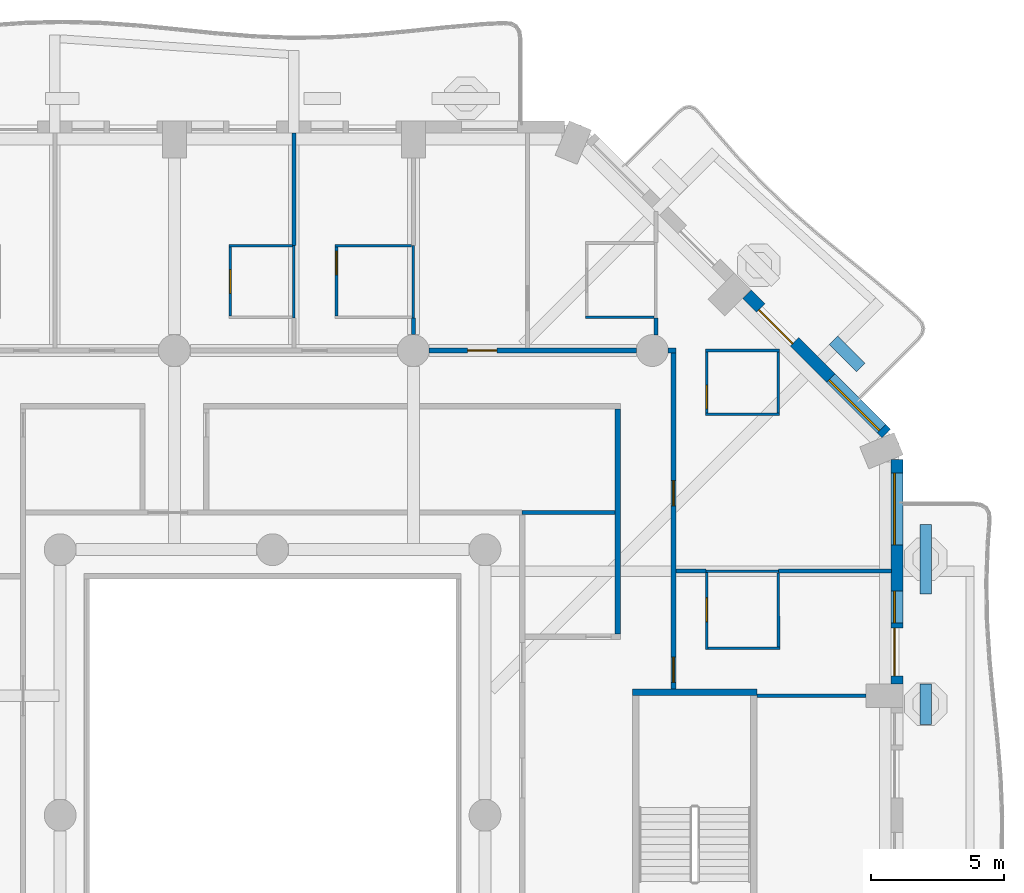
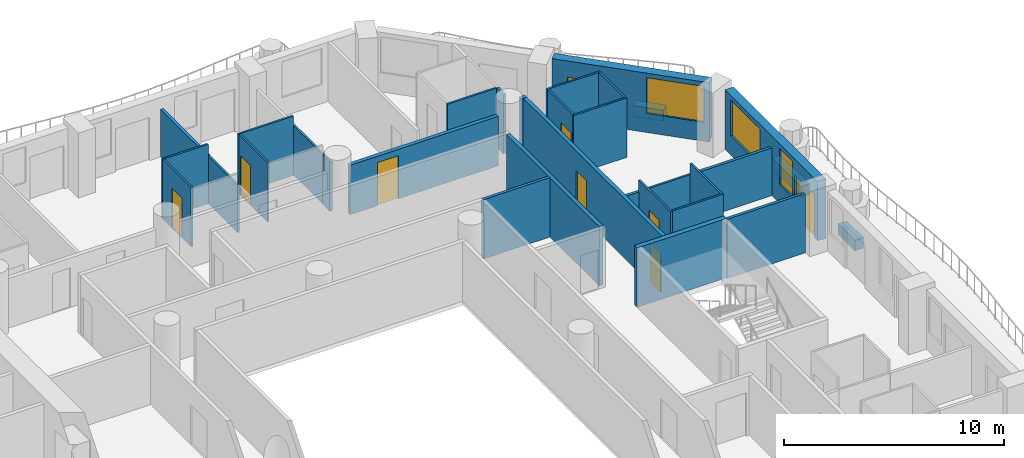
# One storey, part 9 of 20: 32 walls, 9 doors, 3 windows, 12 openings.
"""IFC4 building model written with IfcOpenShell, lengths in metres."""

from ifc_helpers import new_model, si_unit, direction, frame, frame_2d, origin, place, context, subcontext, project, spatial, rectangle, extrude, material, layer, layer_set, type_object, element, fill, save


model = new_model("IFC4")

# Units and contexts
model_context = context("Model", 3, precision=1e-05, world=origin(), true_north=direction((0.0, 1.0)))
body_context = subcontext(model_context, "Body", "Model", "MODEL_VIEW")
ifc_project = project(units=[si_unit("LENGTHUNIT", "METRE"), si_unit("AREAUNIT", "SQUARE_METRE"), si_unit("VOLUMEUNIT", "CUBIC_METRE"), si_unit("PLANEANGLEUNIT", "RADIAN"), si_unit("MASSUNIT", "GRAM", prefix="KILO")], contexts=[model_context])

# Site, building, storey
site_placement = place(None, origin())
site = spatial("IfcSite", under=ifc_project, at=site_placement, CompositionType="ELEMENT")
building_placement = place(site_placement, origin())
building = spatial("IfcBuilding", under=site, at=building_placement, Name="Cypress Arch Tower", CompositionType="ELEMENT")
storey_placement = place(building_placement, frame((0.0, 0.0, 55.5)))
storey = spatial("IfcBuildingStorey", under=building, at=storey_placement, Name="L07", CompositionType="ELEMENT", Elevation=55.5)

# Walls
ifc_material_1 = material(Name="Concrete C40/50, waterproofed", Category="concrete")
ifc_layer_1 = layer(ifc_material_1, 0.449951171875)
ifc_layer_set_1 = layer_set([ifc_layer_1], Name="Balcony planter wall PW450")
wall_type_1 = type_object("IfcWallType", Name="Balcony planter wall PW450", PredefinedType="SOLIDWALL", material=ifc_layer_set_1)
wall_1_placement = place(storey_placement, frame((25.60009765625, 3.42138671875, 0.0), z_axis=(0.0, 0.0, 1.0), x_axis=(0.0, 1.0, 0.0)))
element("IfcWall", 1, at=wall_1_placement, inside=storey, type_object=wall_type_1, Name="Balcony planter wall L07-A06.2", PredefinedType="SOLIDWALL", context=body_context, shape_type="SweptSolid", body=[
    extrude(rectangle(XDim=1.5224609375, YDim=0.449951171875, at=frame_2d((0.76123046875, 0.0))), origin(), (0.0, 0.0, 1.0), 0.60009765625),
])
wall_2_placement = place(storey_placement, frame((25.60009765625, 8.335693359375, 0.0), z_axis=(0.0, 0.0, 1.0), x_axis=(0.0, 1.0, 0.0)))
element("IfcWall", 2, at=wall_2_placement, inside=storey, type_object=wall_type_1, Name="Balcony planter wall L07-A06.3", PredefinedType="SOLIDWALL", context=body_context, shape_type="SweptSolid", body=[
    extrude(rectangle(XDim=2.6142578125, YDim=0.449951171875, at=frame_2d((1.30712890625, 0.0))), origin(), (0.0, 0.0, 1.0), 0.60009765625),
])
wall_3_placement = place(storey_placement, frame((23.150390625, 16.86376953125, 0.0), z_axis=(0.0, 0.0, 1.0), x_axis=(-0.707106781187, 0.707106781187, 0.0)))
element("IfcWall", 3, at=wall_3_placement, inside=storey, type_object=wall_type_1, Name="Balcony planter wall L07-A07.1", PredefinedType="SOLIDWALL", context=body_context, shape_type="SweptSolid", body=[
    extrude(rectangle(XDim=1.44482421875, YDim=0.449951171875, at=frame_2d((0.722412109375, 0.0))), origin(), (0.0, 0.0, 1.0), 0.60009765625),
])

# Wall, openings, door, windows
ifc_material_2 = material(Name="Brick (red buff blend)", Category="masonry")
ifc_layer_2 = layer(ifc_material_2, 0.449951171875)
ifc_layer_set_2 = layer_set([ifc_layer_2], Name="Brick pier and spandrel wall BW450")
wall_type_2 = type_object("IfcWallType", Name="Brick pier and spandrel wall BW450", PredefinedType="SOLIDWALL", material=ifc_layer_set_2)
wall_4_placement = place(storey_placement, frame((24.52490234375, 4.949951171875, 0.0), z_axis=(0.0, 0.0, 1.0), x_axis=(0.0, 1.0, 0.0)))
wall_4 = element("IfcWall", 4, at=wall_4_placement, inside=storey, type_object=wall_type_2, Name="Brick wall L07 A06.3", PredefinedType="SOLIDWALL", context=body_context, shape_type="SweptSolid", body=[
    extrude(rectangle(XDim=8.438720703125, YDim=0.449951171875, at=frame_2d((4.21923828125, 0.0))), origin(), (0.0, 0.0, 1.0), 3.300048828125),
])
opening_1_placement = place(wall_4_placement, frame((0.2939453125, 0.0, 0.0)))
opening_1 = element("IfcOpeningElement", 5, at=opening_1_placement, cuts=wall_4, Name="Opening D-L07-A06.3.1", PredefinedType="OPENING", context=body_context, shape_type="SweptSolid", body=[
    extrude(rectangle(XDim=1.800048828125, YDim=2.39990234375, at=frame_2d((0.89990234375, 1.199951171875))), frame((0.0, 0.23486328125, 0.0), z_axis=(0.0, -1.0, 0.0), x_axis=(1.0, 0.0, 0.0)), (0.0, 0.0, 1.0), 0.469970703125),
])
opening_2_placement = place(wall_4_placement, frame((2.2939453125, 0.0, 1.050048828125)))
opening_2 = element("IfcOpeningElement", 6, at=opening_2_placement, cuts=wall_4, Name="Opening W120HD", PredefinedType="OPENING", context=body_context, shape_type="SweptSolid", body=[
    extrude(rectangle(XDim=1.199951171875, YDim=2.0, at=frame_2d((0.60009765625, 1.0))), frame((0.0, 0.23486328125, 0.0), z_axis=(0.0, -1.0, 0.0), x_axis=(1.0, 0.0, 0.0)), (0.0, 0.0, 1.0), 0.469970703125),
])
opening_3_placement = place(wall_4_placement, frame((5.231689453125, 0.0, 1.050048828125)))
opening_3 = element("IfcOpeningElement", 7, at=opening_3_placement, cuts=wall_4, Name="Opening W270HD", PredefinedType="OPENING", context=body_context, shape_type="SweptSolid", body=[
    extrude(rectangle(XDim=2.699951171875, YDim=2.0, at=frame_2d((1.35009765625, 1.0))), frame((0.0, 0.23486328125, 0.0), z_axis=(0.0, -1.0, 0.0), x_axis=(1.0, 0.0, 0.0)), (0.0, 0.0, 1.0), 0.469970703125),
])
ifc_material_3 = material(Name="Anodised aluminium, bronze finish, laminated low-emissivity double glazing, large-missile impact rated", Category="aluminium")
door_type_1 = type_object("IfcDoorType", Name="Balcony sliding door 1800x2400", OperationType="SLIDING_TO_LEFT", PredefinedType="DOOR", material=ifc_material_3)
door_1_placement = place(opening_1_placement, origin())
door_1 = element("IfcDoor", 8, at=door_1_placement, inside=storey, type_object=door_type_1, Name="Balcony door L07 A06.3.1", OperationType="SLIDING_TO_LEFT", OverallHeight=2.39990234375, OverallWidth=1.800048828125, PredefinedType="DOOR", context=body_context, shape_type="SweptSolid", body=[
    extrude(rectangle(XDim=1.800048828125, YDim=2.39990234375, at=frame_2d((0.89990234375, 1.199951171875))), frame((0.0, 0.1298828125, 0.0), z_axis=(0.0, -1.0, 0.0), x_axis=(1.0, 0.0, 0.0)), (0.0, 0.0, 1.0), 0.050048828125),
])
fill(opening_1, door_1)
ifc_material_4 = material(Name="Anodised aluminium, bronze finish, laminated low-emissivity double glazing, large-missile impact rated", Category="aluminium")
window_type_1 = type_object("IfcWindowType", Name="Window Hotel 1200x2000 debris-rated", PartitioningType="SINGLE_PANEL", PredefinedType="WINDOW", material=ifc_material_4)
window_1_placement = place(opening_2_placement, origin())
window_1 = element("IfcWindow", 9, at=window_1_placement, inside=storey, type_object=window_type_1, Name="Window L07 A06.3.1", OverallHeight=2.0, OverallWidth=1.199951171875, PartitioningType="SINGLE_PANEL", PredefinedType="WINDOW", context=body_context, shape_type="SweptSolid", body=[
    extrude(rectangle(XDim=1.199951171875, YDim=2.0, at=frame_2d((0.60009765625, 1.0))), frame((0.0, 0.135009765625, 0.0), z_axis=(0.0, -1.0, 0.0), x_axis=(1.0, 0.0, 0.0)), (0.0, 0.0, 1.0), 0.06005859375),
])
fill(opening_2, window_1)
ifc_material_5 = material(Name="Anodised aluminium, bronze finish, laminated low-emissivity double glazing, large-missile impact rated", Category="aluminium")
window_type_2 = type_object("IfcWindowType", Name="Window Hotel 2700x2000 debris-rated", PartitioningType="SINGLE_PANEL", PredefinedType="WINDOW", material=ifc_material_5)
window_2_placement = place(opening_3_placement, origin())
window_2 = element("IfcWindow", 10, at=window_2_placement, inside=storey, type_object=window_type_2, Name="Window L07 A06.3.2", OverallHeight=2.0, OverallWidth=2.699951171875, PartitioningType="SINGLE_PANEL", PredefinedType="WINDOW", context=body_context, shape_type="SweptSolid", body=[
    extrude(rectangle(XDim=2.699951171875, YDim=2.0, at=frame_2d((1.35009765625, 1.0))), frame((0.0, 0.135009765625, 0.0), z_axis=(0.0, -1.0, 0.0), x_axis=(1.0, 0.0, 0.0)), (0.0, 0.0, 1.0), 0.06005859375),
])
fill(opening_3, window_2)

# Wall, openings, door, window
wall_5_placement = place(storey_placement, frame((24.11474609375, 14.379150390625, 0.0), z_axis=(0.0, 0.0, 1.0), x_axis=(-0.707106781187, 0.707106781187, 0.0)))
wall_5 = element("IfcWall", 11, at=wall_5_placement, inside=storey, type_object=wall_type_2, Name="Brick wall L07 A07.0", PredefinedType="SOLIDWALL", context=body_context, shape_type="SweptSolid", body=[
    extrude(rectangle(XDim=7.423828125, YDim=0.449951171875, at=frame_2d((3.7119140625, 0.0))), origin(), (0.0, 0.0, 1.0), 3.300048828125),
])
opening_4_placement = place(wall_5_placement, frame((0.253173828125, 0.0, 1.050048828125)))
opening_4 = element("IfcOpeningElement", 12, at=opening_4_placement, cuts=wall_5, Name="Opening W270HD", PredefinedType="OPENING", context=body_context, shape_type="SweptSolid", body=[
    extrude(rectangle(XDim=2.699951171875, YDim=2.0, at=frame_2d((1.35009765625, 1.0))), frame((0.0, 0.23486328125, 0.0), z_axis=(0.0, -1.0, 0.0), x_axis=(1.0, 0.0, 0.0)), (0.0, 0.0, 1.0), 0.469970703125),
])
opening_5_placement = place(wall_5_placement, frame((4.8837890625, 0.0, 0.0)))
opening_5 = element("IfcOpeningElement", 13, at=opening_5_placement, cuts=wall_5, Name="Opening D-L07-A07.0.2", PredefinedType="OPENING", context=body_context, shape_type="SweptSolid", body=[
    extrude(rectangle(XDim=1.800048828125, YDim=2.39990234375, at=frame_2d((0.89990234375, 1.199951171875))), frame((0.0, 0.23486328125, 0.0), z_axis=(0.0, -1.0, 0.0), x_axis=(1.0, 0.0, 0.0)), (0.0, 0.0, 1.0), 0.469970703125),
])
door_2_placement = place(opening_5_placement, origin())
door_2 = element("IfcDoor", 14, at=door_2_placement, inside=storey, type_object=door_type_1, Name="Balcony door L07 A07.0.2", OperationType="SLIDING_TO_LEFT", OverallHeight=2.39990234375, OverallWidth=1.800048828125, PredefinedType="DOOR", context=body_context, shape_type="SweptSolid", body=[
    extrude(rectangle(XDim=1.800048828125, YDim=2.39990234375, at=frame_2d((0.89990234375, 1.199951171875))), frame((0.0, 0.1298828125, 0.0), z_axis=(0.0, -1.0, 0.0), x_axis=(1.0, 0.0, 0.0)), (0.0, 0.0, 1.0), 0.050048828125),
])
fill(opening_5, door_2)
window_3_placement = place(opening_4_placement, origin())
window_3 = element("IfcWindow", 15, at=window_3_placement, inside=storey, type_object=window_type_2, Name="Window L07 A07.0.1", OverallHeight=2.0, OverallWidth=2.699951171875, PartitioningType="SINGLE_PANEL", PredefinedType="WINDOW", context=body_context, shape_type="SweptSolid", body=[
    extrude(rectangle(XDim=2.699951171875, YDim=2.0, at=frame_2d((1.35009765625, 1.0))), frame((0.0, 0.135009765625, 0.0), z_axis=(0.0, -1.0, 0.0), x_axis=(1.0, 0.0, 0.0)), (0.0, 0.0, 1.0), 0.06005859375),
])
fill(opening_4, window_3)

# Wall, opening, door
ifc_material_6 = material(Name="Concrete blockwork, plastered, rated", Category="masonry")
ifc_layer_3 = layer(ifc_material_6, 0.199951171875)
ifc_layer_set_3 = layer_set([ifc_layer_3], Name="Corridor wall FW200")
wall_type_3 = type_object("IfcWallType", Name="Corridor wall FW200", PredefinedType="PARTITIONING", material=ifc_layer_set_3)
wall_6_placement = place(storey_placement, frame((6.89990234375, 17.5, 0.0), z_axis=(0.0, 0.0, 1.0), x_axis=(1.0, 0.0, 0.0)))
wall_6 = element("IfcWall", 16, at=wall_6_placement, inside=storey, type_object=wall_type_3, Name="Corridor wall", PredefinedType="PARTITIONING", context=body_context, shape_type="SweptSolid", body=[
    extrude(rectangle(XDim=7.800048828125, YDim=0.199951171875, at=frame_2d((3.89990234375, 0.0))), origin(), (0.0, 0.0, 1.0), 2.75),
])
opening_6_placement = place(wall_6_placement, frame((1.449951171875, 0.0, 0.0)))
opening_6 = element("IfcOpeningElement", 17, at=opening_6_placement, cuts=wall_6, Name="Opening D01", PredefinedType="OPENING", context=body_context, shape_type="SweptSolid", body=[
    extrude(rectangle(XDim=1.10009765625, YDim=2.39990234375, at=frame_2d((0.550048828125, 1.199951171875))), frame((0.0, 0.10986328125, 0.0), z_axis=(0.0, -1.0, 0.0), x_axis=(1.0, 0.0, 0.0)), (0.0, 0.0, 1.0), 0.219970703125),
])
ifc_material_7 = material(Name="Timber flush door, fire resisting, self-closing", Category="wood")
door_type_2 = type_object("IfcDoorType", Name="Unit entrance door D01 1100x2400", OperationType="SINGLE_SWING_LEFT", PredefinedType="DOOR", material=ifc_material_7)
door_3_placement = place(opening_6_placement, origin())
door_3 = element("IfcDoor", 18, at=door_3_placement, inside=storey, type_object=door_type_2, Name="Unit entrance door", OperationType="SINGLE_SWING_RIGHT", OverallHeight=2.39990234375, OverallWidth=1.10009765625, PredefinedType="DOOR", context=body_context, shape_type="SweptSolid", body=[
    extrude(rectangle(XDim=1.10009765625, YDim=2.39990234375, at=frame_2d((0.550048828125, 1.199951171875))), frame((0.0, 0.02490234375, 0.0), z_axis=(0.0, -1.0, 0.0), x_axis=(1.0, 0.0, 0.0)), (0.0, 0.0, 1.0), 0.050048828125),
])
fill(opening_6, door_3)

# Walls
wall_7_placement = place(storey_placement, frame((15.89990234375, 17.5, 0.0), z_axis=(0.0, 0.0, 1.0), x_axis=(1.0, 0.0, 0.0)))
element("IfcWall", 19, at=wall_7_placement, inside=storey, type_object=wall_type_3, Name="Corridor wall", PredefinedType="PARTITIONING", context=body_context, shape_type="SweptSolid", body=[
    extrude(rectangle(XDim=0.300048828125, YDim=0.199951171875, at=frame_2d((0.14990234375, 0.0))), origin(), (0.0, 0.0, 1.0), 3.300048828125),
])
wall_8_placement = place(storey_placement, frame((14.0, 6.824951171875, 0.0), z_axis=(0.0, 0.0, 1.0), x_axis=(0.0, 1.0, 0.0)))
element("IfcWall", 20, at=wall_8_placement, inside=storey, type_object=wall_type_3, Name="Corridor wall", PredefinedType="PARTITIONING", context=body_context, shape_type="SweptSolid", body=[
    extrude(rectangle(XDim=8.47509765625, YDim=0.199951171875, at=frame_2d((4.237548828125, 0.0))), origin(), (0.0, 0.0, 1.0), 3.300048828125),
])

# Wall, openings, doors
wall_9_placement = place(storey_placement, frame((16.10009765625, 4.75, 0.0), z_axis=(0.0, 0.0, 1.0), x_axis=(0.0, 1.0, 0.0)))
wall_9 = element("IfcWall", 21, at=wall_9_placement, inside=storey, type_object=wall_type_3, Name="Corridor wall", PredefinedType="PARTITIONING", context=body_context, shape_type="SweptSolid", body=[
    extrude(rectangle(XDim=12.64990234375, YDim=0.199951171875, at=frame_2d((6.324951171875, 0.0))), origin(), (0.0, 0.0, 1.0), 3.300048828125),
])
opening_7_placement = place(wall_9_placement, frame((0.25, 0.0, 0.0)))
opening_7 = element("IfcOpeningElement", 22, at=opening_7_placement, cuts=wall_9, Name="Opening D02", PredefinedType="OPENING", context=body_context, shape_type="SweptSolid", body=[
    extrude(rectangle(XDim=0.949951171875, YDim=2.199951171875, at=frame_2d((0.47509765625, 1.10009765625))), frame((0.0, 0.10986328125, 0.0), z_axis=(0.0, -1.0, 0.0), x_axis=(1.0, 0.0, 0.0)), (0.0, 0.0, 1.0), 0.219970703125),
])
opening_8_placement = place(wall_9_placement, frame((6.89990234375, 0.0, 0.0)))
opening_8 = element("IfcOpeningElement", 23, at=opening_8_placement, cuts=wall_9, Name="Opening D02", PredefinedType="OPENING", context=body_context, shape_type="SweptSolid", body=[
    extrude(rectangle(XDim=0.949951171875, YDim=2.199951171875, at=frame_2d((0.47509765625, 1.10009765625))), frame((0.0, 0.10986328125, 0.0), z_axis=(0.0, -1.0, 0.0), x_axis=(1.0, 0.0, 0.0)), (0.0, 0.0, 1.0), 0.219970703125),
])
ifc_material_8 = material(Name="Timber flush door, fire resisting", Category="wood")
door_type_3 = type_object("IfcDoorType", Name="Room door D02 950x2200", OperationType="SINGLE_SWING_LEFT", PredefinedType="DOOR", material=ifc_material_8)
door_4_placement = place(opening_7_placement, origin())
door_4 = element("IfcDoor", 24, at=door_4_placement, inside=storey, type_object=door_type_3, Name="Room door", OperationType="SINGLE_SWING_RIGHT", OverallHeight=2.199951171875, OverallWidth=0.949951171875, PredefinedType="DOOR", context=body_context, shape_type="SweptSolid", body=[
    extrude(rectangle(XDim=0.949951171875, YDim=2.199951171875, at=frame_2d((0.47509765625, 1.10009765625))), frame((0.0, 0.02490234375, 0.0), z_axis=(0.0, -1.0, 0.0), x_axis=(1.0, 0.0, 0.0)), (0.0, 0.0, 1.0), 0.050048828125),
])
fill(opening_7, door_4)
door_5_placement = place(opening_8_placement, origin())
door_5 = element("IfcDoor", 25, at=door_5_placement, inside=storey, type_object=door_type_3, Name="Room door", OperationType="SINGLE_SWING_RIGHT", OverallHeight=2.199951171875, OverallWidth=0.949951171875, PredefinedType="DOOR", context=body_context, shape_type="SweptSolid", body=[
    extrude(rectangle(XDim=0.949951171875, YDim=2.199951171875, at=frame_2d((0.47509765625, 1.10009765625))), frame((0.0, 0.02490234375, 0.0), z_axis=(0.0, -1.0, 0.0), x_axis=(1.0, 0.0, 0.0)), (0.0, 0.0, 1.0), 0.050048828125),
])
fill(opening_8, door_5)

# Walls
ifc_material_9 = material(Name="Blockwork, plastered both sides", Category="masonry")
ifc_layer_4 = layer(ifc_material_9, 0.14990234375)
ifc_layer_set_4 = layer_set([ifc_layer_4], Name="Partition PW150")
wall_type_4 = type_object("IfcWallType", Name="Partition PW150", PredefinedType="PARTITIONING", material=ifc_layer_set_4)
wall_10_placement = place(storey_placement, frame((1.800048828125, 21.449951171875, 0.0), z_axis=(0.0, 0.0, 1.0), x_axis=(0.0, 1.0, 0.0)))
element("IfcWall", 26, at=wall_10_placement, inside=storey, type_object=wall_type_4, Name="Partition", PredefinedType="PARTITIONING", context=body_context, shape_type="SweptSolid", body=[
    extrude(rectangle(XDim=4.25, YDim=0.14990234375, at=frame_2d((2.125, 0.0))), origin(), (0.0, 0.0, 1.0), 2.64990234375),
])
wall_11_placement = place(storey_placement, frame((6.300048828125, 18.10009765625, 0.0), z_axis=(0.0, 0.0, 1.0), x_axis=(0.0, 1.0, 0.0)))
element("IfcWall", 27, at=wall_11_placement, inside=storey, type_object=wall_type_4, Name="Partition", PredefinedType="PARTITIONING", context=body_context, shape_type="SweptSolid", body=[
    extrude(rectangle(XDim=0.6298828125, YDim=0.14990234375, at=frame_2d((0.31494140625, 0.0))), origin(), (0.0, 0.0, 1.0), 2.75),
])
wall_12_placement = place(storey_placement, frame((10.39990234375, 11.39990234375, 0.0), z_axis=(0.0, 0.0, 1.0), x_axis=(1.0, 0.0, 0.0)))
element("IfcWall", 28, at=wall_12_placement, inside=storey, type_object=wall_type_4, Name="Partition", PredefinedType="PARTITIONING", context=body_context, shape_type="SweptSolid", body=[
    extrude(rectangle(XDim=3.5, YDim=0.14990234375, at=frame_2d((1.75, 0.0))), origin(), (0.0, 0.0, 1.0), 3.300048828125),
])
wall_13_placement = place(storey_placement, frame((15.431884765625, 18.093994140625, 0.0), z_axis=(0.0, 0.0, 1.0), x_axis=(0.0, 1.0, 0.0)))
element("IfcWall", 29, at=wall_13_placement, inside=storey, type_object=wall_type_4, Name="Partition", PredefinedType="PARTITIONING", context=body_context, shape_type="SweptSolid", body=[
    extrude(rectangle(XDim=0.635986328125, YDim=0.14990234375, at=frame_2d((0.31787109375, 0.0))), origin(), (0.0, 0.0, 1.0), 3.300048828125),
])
wall_14_placement = place(storey_placement, frame((16.199951171875, 9.18994140625, 0.0), z_axis=(0.0, 0.0, 1.0), x_axis=(1.0, 0.0, 0.0)))
element("IfcWall", 30, at=wall_14_placement, inside=storey, type_object=wall_type_4, Name="Partition", PredefinedType="PARTITIONING", context=body_context, shape_type="SweptSolid", body=[
    extrude(rectangle(XDim=1.130126953125, YDim=0.14990234375, at=frame_2d((0.56494140625, 0.0))), origin(), (0.0, 0.0, 1.0), 2.64990234375),
])
wall_15_placement = place(storey_placement, frame((19.25, 4.5, 0.0), z_axis=(0.0, 0.0, 1.0), x_axis=(1.0, 0.0, 0.0)))
element("IfcWall", 31, at=wall_15_placement, inside=storey, type_object=wall_type_4, Name="Partition", PredefinedType="PARTITIONING", context=body_context, shape_type="SweptSolid", body=[
    extrude(rectangle(XDim=4.10009765625, YDim=0.14990234375, at=frame_2d((2.050048828125, 0.0))), origin(), (0.0, 0.0, 1.0), 3.300048828125),
])
wall_16_placement = place(storey_placement, frame((20.050048828125, 9.18994140625, 0.0), z_axis=(0.0, 0.0, 1.0), x_axis=(1.0, 0.0, 0.0)))
element("IfcWall", 32, at=wall_16_placement, inside=storey, type_object=wall_type_4, Name="Partition", PredefinedType="PARTITIONING", context=body_context, shape_type="SweptSolid", body=[
    extrude(rectangle(XDim=4.25, YDim=0.14990234375, at=frame_2d((2.125, 0.0))), origin(), (0.0, 0.0, 1.0), 2.64990234375),
])
ifc_material_10 = material(Name="Concrete C50/60", Category="concrete")
ifc_layer_5 = layer(ifc_material_10, 0.25)
ifc_layer_set_5 = layer_set([ifc_layer_5], Name="Stair enclosure wall SW250")
wall_type_5 = type_object("IfcWallType", Name="Stair enclosure wall SW250", PredefinedType="SHEAR", material=ifc_layer_set_5)
wall_17_placement = place(storey_placement, frame((14.550048828125, 4.625, 0.0), z_axis=(0.0, 0.0, 1.0), x_axis=(1.0, 0.0, 0.0)))
element("IfcWall", 33, at=wall_17_placement, inside=storey, type_object=wall_type_5, Name="Stair enclosure wall", PredefinedType="SHEAR", context=body_context, shape_type="SweptSolid", body=[
    extrude(rectangle(XDim=4.699951171875, YDim=0.25, at=frame_2d((2.35009765625, 0.0))), origin(), (0.0, 0.0, 1.0), 3.300048828125),
])

# Wall, opening, door
ifc_material_11 = material(Name="Moisture resistant board on steel studs, tiled", Category="steel")
ifc_layer_6 = layer(ifc_material_11, 0.10009765625)
ifc_layer_set_6 = layer_set([ifc_layer_6], Name="Wet wall PW100")
wall_type_6 = type_object("IfcWallType", Name="Wet wall PW100", PredefinedType="PARTITIONING", material=ifc_layer_set_6)
wall_18_placement = place(storey_placement, frame((-0.595947265625, 18.800048828125, 0.0), z_axis=(0.0, 0.0, 1.0), x_axis=(0.0, 1.0, 0.0)))
wall_18 = element("IfcWall", 34, at=wall_18_placement, inside=storey, type_object=wall_type_6, Name="Wet wall", PredefinedType="PARTITIONING", context=body_context, shape_type="SweptSolid", body=[
    extrude(rectangle(XDim=2.599853515625, YDim=0.10009765625, at=frame_2d((1.2998046875, 0.0))), origin(), (0.0, 0.0, 1.0), 3.300048828125),
])
opening_9_placement = place(wall_18_placement, frame((0.85009765625, 0.0, 0.0)))
opening_9 = element("IfcOpeningElement", 35, at=opening_9_placement, cuts=wall_18, Name="Opening D03", PredefinedType="OPENING", context=body_context, shape_type="SweptSolid", body=[
    extrude(rectangle(XDim=0.89990234375, YDim=2.199951171875, at=frame_2d((0.449951171875, 1.10009765625))), frame((0.0, 0.06005859375, 0.0), z_axis=(0.0, -1.0, 0.0), x_axis=(1.0, 0.0, 0.0)), (0.0, 0.0, 1.0), 0.1201171875),
])
ifc_material_12 = material(Name="Timber flush door, moisture resistant", Category="wood")
door_type_4 = type_object("IfcDoorType", Name="Bathroom door D03 900x2200", OperationType="SINGLE_SWING_LEFT", PredefinedType="DOOR", material=ifc_material_12)
door_6_placement = place(opening_9_placement, origin())
door_6 = element("IfcDoor", 36, at=door_6_placement, inside=storey, type_object=door_type_4, Name="Bathroom door", OperationType="SINGLE_SWING_RIGHT", OverallHeight=2.199951171875, OverallWidth=0.89990234375, PredefinedType="DOOR", context=body_context, shape_type="SweptSolid", body=[
    extrude(rectangle(XDim=0.89990234375, YDim=2.199951171875, at=frame_2d((0.449951171875, 1.10009765625))), frame((0.0, 0.02490234375, 0.0), z_axis=(0.0, -1.0, 0.0), x_axis=(1.0, 0.0, 0.0)), (0.0, 0.0, 1.0), 0.050048828125),
])
fill(opening_9, door_6)

# Walls
wall_19_placement = place(storey_placement, frame((-0.64599609375, 21.449951171875, 0.0), z_axis=(0.0, 0.0, 1.0), x_axis=(1.0, 0.0, 0.0)))
element("IfcWall", 37, at=wall_19_placement, inside=storey, type_object=wall_type_6, Name="Wet wall", PredefinedType="PARTITIONING", context=body_context, shape_type="SweptSolid", body=[
    extrude(rectangle(XDim=2.39599609375, YDim=0.10009765625, at=frame_2d((1.197998046875, 0.0))), origin(), (0.0, 0.0, 1.0), 3.300048828125),
])
wall_20_placement = place(storey_placement, frame((1.800048828125, 18.72998046875, 0.0), z_axis=(0.0, 0.0, 1.0), x_axis=(0.0, 1.0, 0.0)))
element("IfcWall", 38, at=wall_20_placement, inside=storey, type_object=wall_type_6, Name="Wet wall", PredefinedType="PARTITIONING", context=body_context, shape_type="SweptSolid", body=[
    extrude(rectangle(XDim=2.719970703125, YDim=0.10009765625, at=frame_2d((1.35986328125, 0.0))), origin(), (0.0, 0.0, 1.0), 2.64990234375),
])

# Wall, opening, door
wall_21_placement = place(storey_placement, frame((3.404052734375, 18.800048828125, 0.0), z_axis=(0.0, 0.0, 1.0), x_axis=(0.0, 1.0, 0.0)))
wall_21 = element("IfcWall", 39, at=wall_21_placement, inside=storey, type_object=wall_type_6, Name="Wet wall", PredefinedType="PARTITIONING", context=body_context, shape_type="SweptSolid", body=[
    extrude(rectangle(XDim=2.599853515625, YDim=0.10009765625, at=frame_2d((1.2998046875, 0.0))), origin(), (0.0, 0.0, 1.0), 3.300048828125),
])
opening_10_placement = place(wall_21_placement, frame((1.550048828125, 0.0, 0.0)))
opening_10 = element("IfcOpeningElement", 40, at=opening_10_placement, cuts=wall_21, Name="Opening D03", PredefinedType="OPENING", context=body_context, shape_type="SweptSolid", body=[
    extrude(rectangle(XDim=0.89990234375, YDim=2.199951171875, at=frame_2d((0.449951171875, 1.10009765625))), frame((0.0, 0.06005859375, 0.0), z_axis=(0.0, -1.0, 0.0), x_axis=(1.0, 0.0, 0.0)), (0.0, 0.0, 1.0), 0.1201171875),
])
door_7_placement = place(opening_10_placement, origin())
door_7 = element("IfcDoor", 41, at=door_7_placement, inside=storey, type_object=door_type_4, Name="Bathroom door", OperationType="SINGLE_SWING_LEFT", OverallHeight=2.199951171875, OverallWidth=0.89990234375, PredefinedType="DOOR", context=body_context, shape_type="SweptSolid", body=[
    extrude(rectangle(XDim=0.89990234375, YDim=2.199951171875, at=frame_2d((0.449951171875, 1.10009765625))), frame((0.0, 0.02490234375, 0.0), z_axis=(0.0, -1.0, 0.0), x_axis=(1.0, 0.0, 0.0)), (0.0, 0.0, 1.0), 0.050048828125),
])
fill(opening_10, door_7)

# Walls
wall_22_placement = place(storey_placement, frame((3.35400390625, 21.449951171875, 0.0), z_axis=(0.0, 0.0, 1.0), x_axis=(1.0, 0.0, 0.0)))
element("IfcWall", 42, at=wall_22_placement, inside=storey, type_object=wall_type_6, Name="Wet wall", PredefinedType="PARTITIONING", context=body_context, shape_type="SweptSolid", body=[
    extrude(rectangle(XDim=2.87109375, YDim=0.10009765625, at=frame_2d((1.435546875, 0.0))), origin(), (0.0, 0.0, 1.0), 3.300048828125),
])
wall_23_placement = place(storey_placement, frame((6.300048828125, 18.72998046875, 0.0), z_axis=(0.0, 0.0, 1.0), x_axis=(0.0, 1.0, 0.0)))
element("IfcWall", 43, at=wall_23_placement, inside=storey, type_object=wall_type_6, Name="Wet wall", PredefinedType="PARTITIONING", context=body_context, shape_type="SweptSolid", body=[
    extrude(rectangle(XDim=2.719970703125, YDim=0.10009765625, at=frame_2d((1.35986328125, 0.0))), origin(), (0.0, 0.0, 1.0), 2.75),
])
wall_24_placement = place(storey_placement, frame((12.785888671875, 18.75, 0.0), z_axis=(0.0, 0.0, 1.0), x_axis=(1.0, 0.0, 0.0)))
element("IfcWall", 44, at=wall_24_placement, inside=storey, type_object=wall_type_6, Name="Wet wall", PredefinedType="PARTITIONING", context=body_context, shape_type="SweptSolid", body=[
    extrude(rectangle(XDim=2.571044921875, YDim=0.10009765625, at=frame_2d((1.28564453125, 0.0))), origin(), (0.0, 0.0, 1.0), 3.300048828125),
])
wall_25_placement = place(storey_placement, frame((17.330078125, 9.18994140625, 0.0), z_axis=(0.0, 0.0, 1.0), x_axis=(1.0, 0.0, 0.0)))
element("IfcWall", 45, at=wall_25_placement, inside=storey, type_object=wall_type_6, Name="Wet wall", PredefinedType="PARTITIONING", context=body_context, shape_type="SweptSolid", body=[
    extrude(rectangle(XDim=2.719970703125, YDim=0.10009765625, at=frame_2d((1.35986328125, 0.0))), origin(), (0.0, 0.0, 1.0), 2.64990234375),
])

# Wall, opening, door
wall_26_placement = place(storey_placement, frame((17.35009765625, 9.139892578125, 0.0), z_axis=(0.0, 0.0, 1.0), x_axis=(0.000337211244, -0.999999943144, 0.0)))
wall_26 = element("IfcWall", 46, at=wall_26_placement, inside=storey, type_object=wall_type_6, Name="Wet wall", PredefinedType="PARTITIONING", context=body_context, shape_type="SweptSolid", body=[
    extrude(rectangle(XDim=2.89599609375, YDim=0.10009765625, at=frame_2d((1.447998046875, 0.0))), origin(), (0.0, 0.0, 1.0), 3.300048828125),
])
opening_11_placement = place(wall_26_placement, frame((0.949951171875, 0.0, 0.0)))
opening_11 = element("IfcOpeningElement", 47, at=opening_11_placement, cuts=wall_26, Name="Opening D03", PredefinedType="OPENING", context=body_context, shape_type="SweptSolid", body=[
    extrude(rectangle(XDim=0.89990234375, YDim=2.199951171875, at=frame_2d((0.449951171875, 1.10009765625))), frame((0.0, 0.06005859375, 0.0), z_axis=(0.0, -1.0, 0.0), x_axis=(1.0, 0.0, 0.0)), (0.0, 0.0, 1.0), 0.1201171875),
])
door_8_placement = place(opening_11_placement, origin())
door_8 = element("IfcDoor", 48, at=door_8_placement, inside=storey, type_object=door_type_4, Name="Bathroom door", OperationType="SINGLE_SWING_RIGHT", OverallHeight=2.199951171875, OverallWidth=0.89990234375, PredefinedType="DOOR", context=body_context, shape_type="SweptSolid", body=[
    extrude(rectangle(XDim=0.89990234375, YDim=2.199951171875, at=frame_2d((0.449951171875, 1.10009765625))), frame((0.0, 0.02490234375, 0.0), z_axis=(0.0, -1.0, 0.0), x_axis=(1.0, 0.0, 0.0)), (0.0, 0.0, 1.0), 0.050048828125),
])
fill(opening_11, door_8)

wall_27_placement = place(storey_placement, frame((17.35009765625, 15.14990234375, 0.0), z_axis=(0.0, 0.0, 1.0), x_axis=(0.0, 1.0, 0.0)))
wall_27 = element("IfcWall", 49, at=wall_27_placement, inside=storey, type_object=wall_type_6, Name="Wet wall", PredefinedType="PARTITIONING", context=body_context, shape_type="SweptSolid", body=[
    extrude(rectangle(XDim=2.300048828125, YDim=0.10009765625, at=frame_2d((1.14990234375, 0.0))), origin(), (0.0, 0.0, 1.0), 3.300048828125),
])
opening_12_placement = place(wall_27_placement, frame((0.14990234375, 0.0, 0.0)))
opening_12 = element("IfcOpeningElement", 50, at=opening_12_placement, cuts=wall_27, Name="Opening D03", PredefinedType="OPENING", context=body_context, shape_type="SweptSolid", body=[
    extrude(rectangle(XDim=0.89990234375, YDim=2.199951171875, at=frame_2d((0.449951171875, 1.10009765625))), frame((0.0, 0.06005859375, 0.0), z_axis=(0.0, -1.0, 0.0), x_axis=(1.0, 0.0, 0.0)), (0.0, 0.0, 1.0), 0.1201171875),
])
door_9_placement = place(opening_12_placement, origin())
door_9 = element("IfcDoor", 51, at=door_9_placement, inside=storey, type_object=door_type_4, Name="Bathroom door", OperationType="SINGLE_SWING_RIGHT", OverallHeight=2.199951171875, OverallWidth=0.89990234375, PredefinedType="DOOR", context=body_context, shape_type="SweptSolid", body=[
    extrude(rectangle(XDim=0.89990234375, YDim=2.199951171875, at=frame_2d((0.449951171875, 1.10009765625))), frame((0.0, 0.02490234375, 0.0), z_axis=(0.0, -1.0, 0.0), x_axis=(1.0, 0.0, 0.0)), (0.0, 0.0, 1.0), 0.050048828125),
])
fill(opening_12, door_9)

# Walls
for number, where, z_axis, x_axis, name in (
    (52, (17.300048828125, 15.10009765625, 0.0), (0.0, 0.0, 1.0), (1.0, 0.0, 0.0), "Wet wall"),
    (53, (17.300048828125, 17.5, 0.0), (0.0, 0.0, 1.0), (1.0, 0.0, 0.0), "Wet wall"),
):
    element("IfcWall", number, at=place(storey_placement, frame(where, z_axis=z_axis, x_axis=x_axis)), inside=storey, type_object=wall_type_6, Name=name, PredefinedType="PARTITIONING", context=body_context, shape_type="SweptSolid", body=[
        extrude(rectangle(XDim=2.800048828125, YDim=0.10009765625, at=frame_2d((1.39990234375, 0.0))), origin(), (0.0, 0.0, 1.0), 3.300048828125),
    ])
wall_28_placement = place(storey_placement, frame((17.40087890625, 6.2939453125, 0.0), z_axis=(0.0, 0.0, 1.0), x_axis=(0.9999999346, 0.000361663629, 0.0)))
element("IfcWall", 54, at=wall_28_placement, inside=storey, type_object=wall_type_6, Name="Wet wall", PredefinedType="PARTITIONING", context=body_context, shape_type="SweptSolid", body=[
    extrude(rectangle(XDim=2.7001953125, YDim=0.10009765625, at=frame_2d((1.35009765625, 0.0))), origin(), (0.0, 0.0, 1.0), 3.300048828125),
])
wall_29_placement = place(storey_placement, frame((20.050048828125, 9.114990234375, 0.0), z_axis=(0.0, 0.0, 1.0), x_axis=(0.000352547131, -0.999999937855, 0.0)))
element("IfcWall", 55, at=wall_29_placement, inside=storey, type_object=wall_type_6, Name="Wet wall", PredefinedType="PARTITIONING", context=body_context, shape_type="SweptSolid", body=[
    extrude(rectangle(XDim=2.77001953125, YDim=0.10009765625, at=frame_2d((1.385009765625, 0.0))), origin(), (0.0, 0.0, 1.0), 3.300048828125),
])
wall_30_placement = place(storey_placement, frame((20.050048828125, 15.14990234375, 0.0), z_axis=(0.0, 0.0, 1.0), x_axis=(0.0, 1.0, 0.0)))
element("IfcWall", 56, at=wall_30_placement, inside=storey, type_object=wall_type_6, Name="Wet wall", PredefinedType="PARTITIONING", context=body_context, shape_type="SweptSolid", body=[
    extrude(rectangle(XDim=2.300048828125, YDim=0.10009765625, at=frame_2d((1.14990234375, 0.0))), origin(), (0.0, 0.0, 1.0), 3.300048828125),
])

save(model, "model.ifc")
